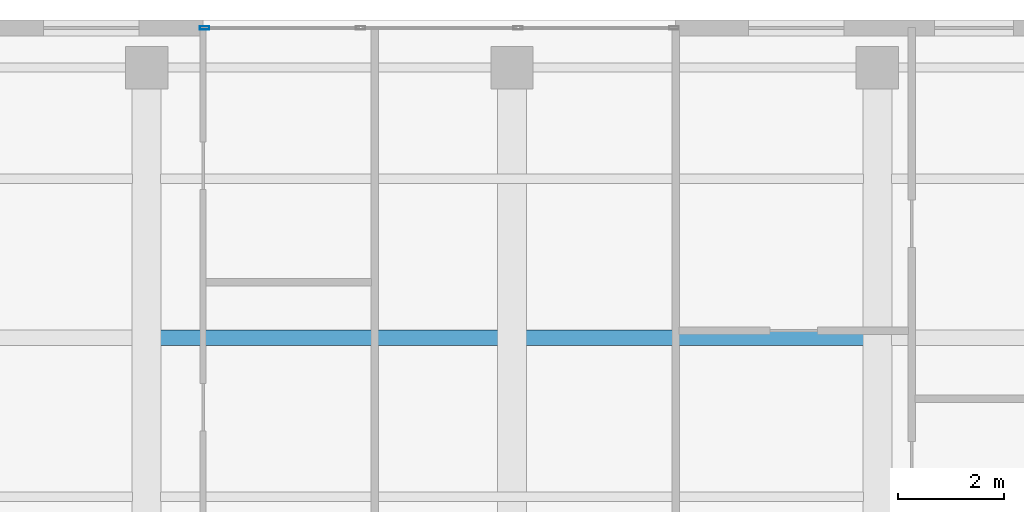
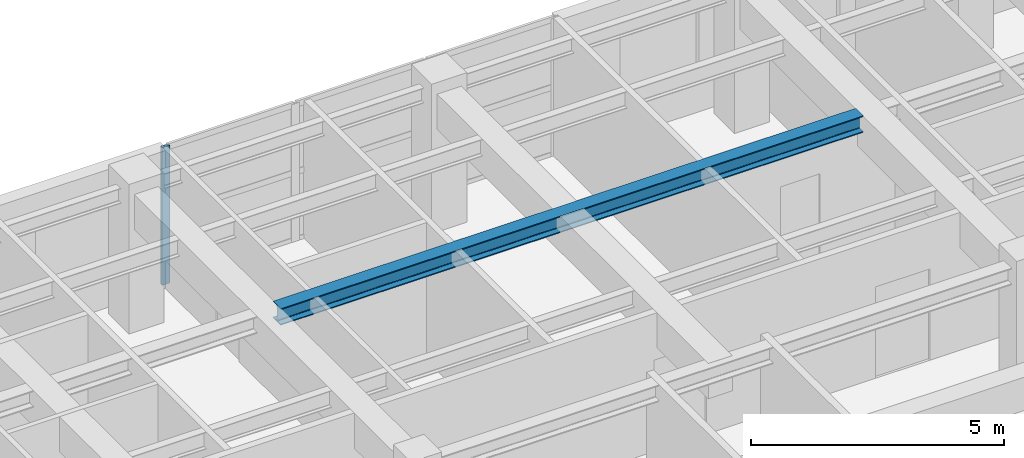
# One storey, part 13 of 21: 1 beam, 1 member, 1 element without a shape of its own.
"""IFC4 building model written with IfcOpenShell, lengths in metres."""

from ifc_helpers import new_model, si_unit, direction, frame, origin, origin_2d, place, context, subcontext, project, spatial, hollow_rectangle, i_section, extrude, source, transform, mapped, material, layer, layer_set, material_profile, profile_set, type_object, element, aggregate, save


model = new_model("IFC4")

# Units and contexts
model_context = context("Model", 3, precision=1e-05, world=origin(), true_north=direction((0.0, 1.0)))
body_context = subcontext(model_context, "Body", "Model", "MODEL_VIEW")
ifc_project = project(units=[si_unit("LENGTHUNIT", "METRE"), si_unit("AREAUNIT", "SQUARE_METRE"), si_unit("VOLUMEUNIT", "CUBIC_METRE"), si_unit("PLANEANGLEUNIT", "RADIAN"), si_unit("MASSUNIT", "GRAM", prefix="KILO")], contexts=[model_context])

# Site, building, storey
site_placement = place(None, origin())
site = spatial("IfcSite", under=ifc_project, at=site_placement, CompositionType="ELEMENT")
building_placement = place(site_placement, origin())
building = spatial("IfcBuilding", under=site, at=building_placement, Name="Khoralis Quay Care Tower", CompositionType="ELEMENT")
storey_placement = place(building_placement, frame((0.0, 0.0, 267.300048828125)))
storey = spatial("IfcBuildingStorey", under=building, at=storey_placement, Name="L70", CompositionType="ELEMENT", Elevation=267.300048828125)

# Beam
ifc_material_1 = material(Name="Steel S355", Category="steel")
ifc_material_profile_1 = material_profile(ifc_material_1, i_section(OverallWidth=0.300048828125, OverallDepth=0.39990234375, WebThickness=0.013427734375, FlangeThickness=0.02392578125, FilletRadius=0.027099609375, at=origin_2d()), Name="Steel S355")
ifc_profile_set_1 = profile_set([ifc_material_profile_1], Name="Steel S355")
beam_type = type_object("IfcBeamType", Name="BM-HEB400", PredefinedType="BEAM", material=ifc_profile_set_1)
shared_shape_1 = source(origin(), body_context, "Body", "SweptSolid", [
    extrude(i_section(OverallWidth=0.300048828125, OverallDepth=0.39990234375, WebThickness=0.013427734375, FlangeThickness=0.02392578125, FilletRadius=0.027099609375, at=origin_2d()), origin(), (0.0, 0.0, 1.0), 13.27392578125),
])
beam_placement = place(storey_placement, frame((17.363037109375, 36.0, 3.119873046875), z_axis=(1.0, 0.0, 0.0), x_axis=(0.0, 1.0, 0.0)))
element("IfcBeam", 1, at=beam_placement, inside=storey, type_object=beam_type, Name="BM-TGCC-L70-360", PredefinedType="BEAM", context=body_context, shape_type="MappedRepresentation", body=[
    mapped(shared_shape_1, transform((0.0, 0.0, 0.0), scale=1.0)),
])

# Curtain wall, member
ifc_material_2 = material(Name="Pale anodised aluminium", Category="aluminium")
ifc_layer = layer(ifc_material_2, 0.159912109375)
ifc_layer_set = layer_set([ifc_layer], Name="Pale anodised aluminium")
curtain_wall_type = type_object("IfcCurtainWallType", Name="CW-SYS-Z3", PredefinedType="NOTDEFINED", material=ifc_layer_set)
curtain_wall_placement = place(storey_placement, origin())
curtain_wall = element("IfcCurtainWall", 2, at=curtain_wall_placement, inside=storey, type_object=curtain_wall_type, Name="L70 Unitised Curtain Wall CW-L70-P1-E10", PredefinedType="NOTDEFINED")
ifc_material_profile_2 = material_profile(ifc_material_2, hollow_rectangle(XDim=0.06494140625, YDim=0.179931640625, WallThickness=0.00390625, at=origin_2d()), Name="Pale anodised aluminium")
ifc_profile_set_2 = profile_set([ifc_material_profile_2], Name="Pale anodised aluminium")
member_type = type_object("IfcMemberType", Name="CW-MUL-180", PredefinedType="MULLION", material=ifc_profile_set_2)
shared_shape_2 = source(origin(), body_context, "Body", "SweptSolid", [
    extrude(hollow_rectangle(XDim=0.06494140625, YDim=0.179931640625, WallThickness=0.00390625, at=origin_2d()), origin(), (0.0, 0.0, 1.0), 3.320068359375),
])
member_placement = place(storey_placement, frame((18.197021484375, 41.85009765625, 0.0), z_axis=(0.0, 0.0, 1.0), x_axis=(0.0, -1.0, 0.0)))
member = element("IfcMember", 3, at=member_placement, type_object=member_type, Name="CW3 mullion 4", PredefinedType="MULLION", context=body_context, shape_type="MappedRepresentation", body=[
    mapped(shared_shape_2, transform((0.0, 0.0, 0.0), scale=1.0)),
])
aggregate(curtain_wall, [member])

save(model, "model.ifc")
